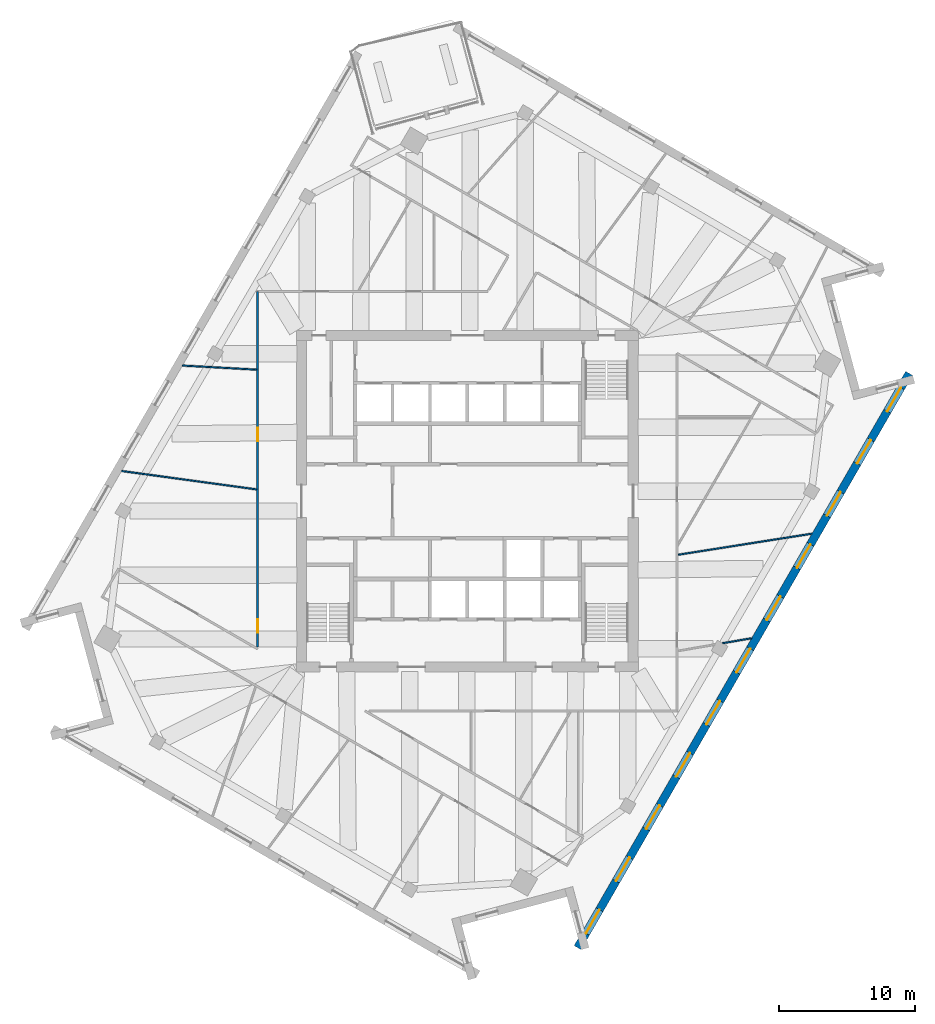
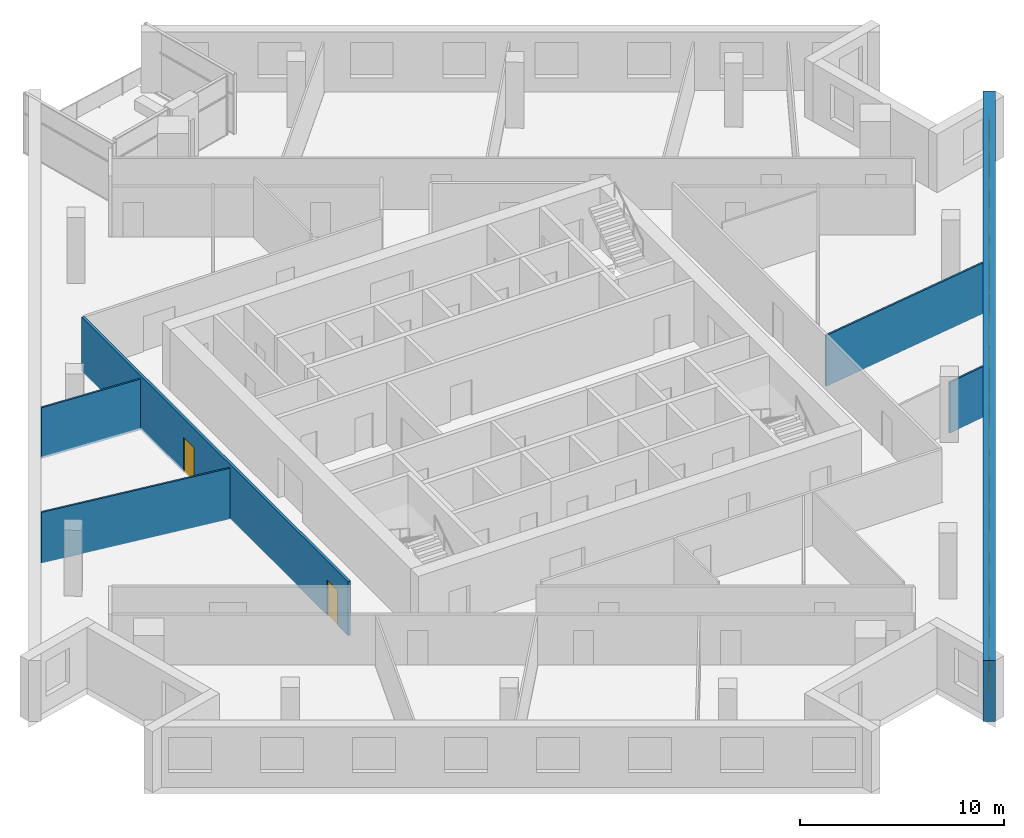
# One storey, part 8 of 13: 11 windows, 6 walls, 2 doors, 13 openings.
"""IFC4 building model written with IfcOpenShell, lengths in metres."""

from ifc_helpers import new_model, si_unit, direction, frame, frame_2d, origin, place, context, subcontext, project, spatial, rectangle, extrude, material, layer, layer_set, type_object, element, fill, save


model = new_model("IFC4")

# Units and contexts
model_context = context("Model", 3, precision=1e-05, world=origin(), true_north=direction((0.0, 1.0)))
body_context = subcontext(model_context, "Body", "Model", "MODEL_VIEW")
ifc_project = project(units=[si_unit("LENGTHUNIT", "METRE"), si_unit("AREAUNIT", "SQUARE_METRE"), si_unit("VOLUMEUNIT", "CUBIC_METRE"), si_unit("PLANEANGLEUNIT", "RADIAN"), si_unit("MASSUNIT", "GRAM", prefix="KILO")], contexts=[model_context])

# Site, building, storey
site_placement = place(None, origin())
site = spatial("IfcSite", under=ifc_project, at=site_placement, CompositionType="ELEMENT")
building_placement = place(site_placement, origin())
building = spatial("IfcBuilding", under=site, at=building_placement, Name="Dilmun Exchange Tower", CompositionType="ELEMENT")
storey_placement = place(building_placement, frame((0.0, 0.0, 270.89990234375)))
storey = spatial("IfcBuildingStorey", under=building, at=storey_placement, Name="L64", CompositionType="ELEMENT", Elevation=270.89990234375)

# Wall, openings, doors
ifc_material_1 = material(Name="Corridor wall 150")
ifc_layer_1 = layer(ifc_material_1, 0.14990234375)
ifc_layer_set_1 = layer_set([ifc_layer_1], Name="Corridor wall 150")
wall_type_1 = type_object("IfcWallType", Name="Corridor wall 150", PredefinedType="PARTITIONING", material=ifc_layer_set_1)
wall_1_placement = place(storey_placement, frame((-15.39990234375, -10.72021484375, 0.0), z_axis=(0.0, 0.0, 1.0), x_axis=(0.0, 1.0, 0.0)))
wall_1 = element("IfcWall", 1, at=wall_1_placement, inside=storey, type_object=wall_type_1, Name="Corridor wall", PredefinedType="PARTITIONING", context=body_context, shape_type="SweptSolid", body=[
    extrude(rectangle(XDim=26.1201171875, YDim=0.14990234375, at=frame_2d((13.06005859375, 0.0))), origin(), (0.0, 0.0, 1.0), 3.239990234375),
])
opening_1_placement = place(wall_1_placement, frame((1.050048828125, 0.0, 0.0)))
opening_1 = element("IfcOpeningElement", 2, at=opening_1_placement, cuts=wall_1, Name="Opening TF62-D02", PredefinedType="OPENING", context=body_context, shape_type="SweptSolid", body=[
    extrude(rectangle(XDim=1.0, YDim=2.10009765625, at=frame_2d((0.5, 1.050048828125))), frame((0.0, 0.0849609375, 0.0), z_axis=(0.0, -1.0, 0.0), x_axis=(1.0, 0.0, 0.0)), (0.0, 0.0, 1.0), 0.169921875),
])
opening_2_placement = place(wall_1_placement, frame((15.12353515625, 0.0, 0.0)))
opening_2 = element("IfcOpeningElement", 3, at=opening_2_placement, cuts=wall_1, Name="Opening TF62-D03", PredefinedType="OPENING", context=body_context, shape_type="SweptSolid", body=[
    extrude(rectangle(XDim=1.0, YDim=2.10009765625, at=frame_2d((0.5, 1.050048828125))), frame((0.0, 0.0849609375, 0.0), z_axis=(0.0, -1.0, 0.0), x_axis=(1.0, 0.0, 0.0)), (0.0, 0.0, 1.0), 0.169921875),
])
ifc_material_2 = material(Name="Fire door 1000 x 2100")
door_type = type_object("IfcDoorType", Name="Fire door 1000 x 2100", OperationType="NOTDEFINED", PredefinedType="DOOR", material=ifc_material_2)
door_1_placement = place(opening_1_placement, origin())
door_1 = element("IfcDoor", 4, at=door_1_placement, inside=storey, type_object=door_type, Name="Door TF62-D02", OperationType="SINGLE_SWING_LEFT", OverallHeight=2.10009765625, OverallWidth=1.0, PredefinedType="DOOR", context=body_context, shape_type="SweptSolid", body=[
    extrude(rectangle(XDim=1.0, YDim=2.10009765625, at=frame_2d((0.5, 1.050048828125))), frame((0.0, 0.02490234375, 0.0), z_axis=(0.0, -1.0, 0.0), x_axis=(1.0, 0.0, 0.0)), (0.0, 0.0, 1.0), 0.050048828125),
])
fill(opening_1, door_1)
door_2_placement = place(opening_2_placement, origin())
door_2 = element("IfcDoor", 5, at=door_2_placement, inside=storey, type_object=door_type, Name="Door TF62-D03", OperationType="SINGLE_SWING_RIGHT", OverallHeight=2.10009765625, OverallWidth=1.0, PredefinedType="DOOR", context=body_context, shape_type="SweptSolid", body=[
    extrude(rectangle(XDim=1.0, YDim=2.10009765625, at=frame_2d((0.5, 1.050048828125))), frame((0.0, 0.02490234375, 0.0), z_axis=(0.0, -1.0, 0.0), x_axis=(1.0, 0.0, 0.0)), (0.0, 0.0, 1.0), 0.050048828125),
])
fill(opening_2, door_2)

# Walls
ifc_material_3 = material(Name="Partition 100")
ifc_layer_2 = layer(ifc_material_3, 0.10009765625)
ifc_layer_set_2 = layer_set([ifc_layer_2], Name="Partition 100")
wall_type_2 = type_object("IfcWallType", Name="Partition 100", PredefinedType="PARTITIONING", material=ifc_layer_set_2)
wall_2_placement = place(storey_placement, frame((-25.39111328125, 2.217041015625, 0.0), z_axis=(0.0, 0.0, 1.0), x_axis=(0.990810103631, -0.135260262244, 0.0)))
element("IfcWall", 6, at=wall_2_placement, inside=storey, type_object=wall_type_2, Name="Partition", PredefinedType="PARTITIONING", context=body_context, shape_type="SweptSolid", body=[
    extrude(rectangle(XDim=10.001220703125, YDim=0.10009765625, at=frame_2d((5.00048828125, 0.0))), origin(), (0.0, 0.0, 1.0), 3.0400390625),
])
wall_3_placement = place(storey_placement, frame((-20.921630859375, 9.958740234375, 0.0), z_axis=(0.0, 0.0, 1.0), x_axis=(0.998469707991, -0.055301376328, 0.0)))
element("IfcWall", 7, at=wall_3_placement, inside=storey, type_object=wall_type_2, Name="Partition", PredefinedType="PARTITIONING", context=body_context, shape_type="SweptSolid", body=[
    extrude(rectangle(XDim=5.4521484375, YDim=0.10009765625, at=frame_2d((2.72607421875, 0.0))), origin(), (0.0, 0.0, 1.0), 3.0400390625),
])
wall_4_placement = place(storey_placement, frame((15.48291015625, -3.931884765625, 0.0), z_axis=(0.0, 0.0, 1.0), x_axis=(0.987819108506, 0.155606583636, 0.0)))
element("IfcWall", 8, at=wall_4_placement, inside=storey, type_object=wall_type_2, Name="Partition", PredefinedType="PARTITIONING", context=body_context, shape_type="SweptSolid", body=[
    extrude(rectangle(XDim=9.931640625, YDim=0.10009765625, at=frame_2d((4.9658203125, 0.0))), origin(), (0.0, 0.0, 1.0), 3.0400390625),
])
wall_5_placement = place(storey_placement, frame((18.7353515625, -10.430908203125, 0.0), z_axis=(0.0, 0.0, 1.0), x_axis=(0.985438538962, 0.170032014419, 0.0)))
element("IfcWall", 9, at=wall_5_placement, inside=storey, type_object=wall_type_2, Name="Partition", PredefinedType="PARTITIONING", context=body_context, shape_type="SweptSolid", body=[
    extrude(rectangle(XDim=2.15673828125, YDim=0.10009765625, at=frame_2d((1.078369140625, 0.0))), origin(), (0.0, 0.0, 1.0), 3.0400390625),
])

# Wall, openings, windows
ifc_material_4 = material(Name="Precast concrete C50/60", Category="concrete")
ifc_layer_3 = layer(ifc_material_4, 0.60009765625)
ifc_layer_set_3 = layer_set([ifc_layer_3], Name="Precast concrete C50/60")
wall_type_3 = type_object("IfcWallType", Name="Precast stone-clad wall 600", PredefinedType="STANDARD", material=ifc_layer_set_3)
wall_6_placement = place(storey_placement, frame((8.093505859375, -32.78173828125, 0.0), z_axis=(0.0, 0.0, 1.0), x_axis=(0.499997945818, 0.866026589763, 0.0)))
wall_6 = element("IfcWall", 10, at=wall_6_placement, inside=storey, type_object=wall_type_3, Name="Facade wall L64-11", PredefinedType="STANDARD", context=body_context, shape_type="SweptSolid", body=[
    extrude(rectangle(XDim=48.686279296875, YDim=0.60009765625, at=frame_2d((24.34326171875, 0.0))), origin(), (0.0, 0.0, 1.0), 3.64013671875),
])
opening_3_placement = place(wall_6_placement, frame((1.212890625, 0.0, 0.89990234375)))
opening_3 = element("IfcOpeningElement", 11, at=opening_3_placement, cuts=wall_6, Name="Opening W200-210", PredefinedType="OPENING", context=body_context, shape_type="SweptSolid", body=[
    extrude(rectangle(XDim=2.0, YDim=2.10009765625, at=frame_2d((1.0, 1.050048828125))), frame((0.0, 0.31005859375, 0.0), z_axis=(0.0, -1.0, 0.0), x_axis=(1.0, 0.0, 0.0)), (0.0, 0.0, 1.0), 0.6201171875),
])
opening_4_placement = place(wall_6_placement, frame((5.638916015625, 0.0, 0.89990234375)))
opening_4 = element("IfcOpeningElement", 12, at=opening_4_placement, cuts=wall_6, Name="Opening W200-210", PredefinedType="OPENING", context=body_context, shape_type="SweptSolid", body=[
    extrude(rectangle(XDim=2.0, YDim=2.10009765625, at=frame_2d((1.0, 1.050048828125))), frame((0.0, 0.31005859375, 0.0), z_axis=(0.0, -1.0, 0.0), x_axis=(1.0, 0.0, 0.0)), (0.0, 0.0, 1.0), 0.6201171875),
])
opening_5_placement = place(wall_6_placement, frame((10.065185546875, 0.0, 0.89990234375)))
opening_5 = element("IfcOpeningElement", 13, at=opening_5_placement, cuts=wall_6, Name="Opening W200-210", PredefinedType="OPENING", context=body_context, shape_type="SweptSolid", body=[
    extrude(rectangle(XDim=2.0, YDim=2.10009765625, at=frame_2d((1.0, 1.050048828125))), frame((0.0, 0.31005859375, 0.0), z_axis=(0.0, -1.0, 0.0), x_axis=(1.0, 0.0, 0.0)), (0.0, 0.0, 1.0), 0.6201171875),
])
opening_6_placement = place(wall_6_placement, frame((14.4912109375, 0.0, 0.89990234375)))
opening_6 = element("IfcOpeningElement", 14, at=opening_6_placement, cuts=wall_6, Name="Opening W200-210", PredefinedType="OPENING", context=body_context, shape_type="SweptSolid", body=[
    extrude(rectangle(XDim=2.0, YDim=2.10009765625, at=frame_2d((1.0, 1.050048828125))), frame((0.0, 0.31005859375, 0.0), z_axis=(0.0, -1.0, 0.0), x_axis=(1.0, 0.0, 0.0)), (0.0, 0.0, 1.0), 0.6201171875),
])
opening_7_placement = place(wall_6_placement, frame((18.9169921875, 0.0, 0.89990234375)))
opening_7 = element("IfcOpeningElement", 15, at=opening_7_placement, cuts=wall_6, Name="Opening W200-210", PredefinedType="OPENING", context=body_context, shape_type="SweptSolid", body=[
    extrude(rectangle(XDim=2.0, YDim=2.10009765625, at=frame_2d((1.0, 1.050048828125))), frame((0.0, 0.31005859375, 0.0), z_axis=(0.0, -1.0, 0.0), x_axis=(1.0, 0.0, 0.0)), (0.0, 0.0, 1.0), 0.6201171875),
])
opening_8_placement = place(wall_6_placement, frame((23.343017578125, 0.0, 0.89990234375)))
opening_8 = element("IfcOpeningElement", 16, at=opening_8_placement, cuts=wall_6, Name="Opening W200-210", PredefinedType="OPENING", context=body_context, shape_type="SweptSolid", body=[
    extrude(rectangle(XDim=2.0, YDim=2.10009765625, at=frame_2d((1.0, 1.050048828125))), frame((0.0, 0.31005859375, 0.0), z_axis=(0.0, -1.0, 0.0), x_axis=(1.0, 0.0, 0.0)), (0.0, 0.0, 1.0), 0.6201171875),
])
opening_9_placement = place(wall_6_placement, frame((27.769287109375, 0.0, 0.89990234375)))
opening_9 = element("IfcOpeningElement", 17, at=opening_9_placement, cuts=wall_6, Name="Opening W200-210", PredefinedType="OPENING", context=body_context, shape_type="SweptSolid", body=[
    extrude(rectangle(XDim=2.0, YDim=2.10009765625, at=frame_2d((1.0, 1.050048828125))), frame((0.0, 0.31005859375, 0.0), z_axis=(0.0, -1.0, 0.0), x_axis=(1.0, 0.0, 0.0)), (0.0, 0.0, 1.0), 0.6201171875),
])
opening_10_placement = place(wall_6_placement, frame((32.1953125, 0.0, 0.89990234375)))
opening_10 = element("IfcOpeningElement", 18, at=opening_10_placement, cuts=wall_6, Name="Opening W200-210", PredefinedType="OPENING", context=body_context, shape_type="SweptSolid", body=[
    extrude(rectangle(XDim=2.0, YDim=2.10009765625, at=frame_2d((1.0, 1.050048828125))), frame((0.0, 0.31005859375, 0.0), z_axis=(0.0, -1.0, 0.0), x_axis=(1.0, 0.0, 0.0)), (0.0, 0.0, 1.0), 0.6201171875),
])
opening_11_placement = place(wall_6_placement, frame((36.62109375, 0.0, 0.89990234375)))
opening_11 = element("IfcOpeningElement", 19, at=opening_11_placement, cuts=wall_6, Name="Opening W200-210", PredefinedType="OPENING", context=body_context, shape_type="SweptSolid", body=[
    extrude(rectangle(XDim=2.0, YDim=2.10009765625, at=frame_2d((1.0, 1.050048828125))), frame((0.0, 0.31005859375, 0.0), z_axis=(0.0, -1.0, 0.0), x_axis=(1.0, 0.0, 0.0)), (0.0, 0.0, 1.0), 0.6201171875),
])
opening_12_placement = place(wall_6_placement, frame((41.04736328125, 0.0, 0.89990234375)))
opening_12 = element("IfcOpeningElement", 20, at=opening_12_placement, cuts=wall_6, Name="Opening W200-210", PredefinedType="OPENING", context=body_context, shape_type="SweptSolid", body=[
    extrude(rectangle(XDim=2.0, YDim=2.10009765625, at=frame_2d((1.0, 1.050048828125))), frame((0.0, 0.31005859375, 0.0), z_axis=(0.0, -1.0, 0.0), x_axis=(1.0, 0.0, 0.0)), (0.0, 0.0, 1.0), 0.6201171875),
])
opening_13_placement = place(wall_6_placement, frame((45.473388671875, 0.0, 0.89990234375)))
opening_13 = element("IfcOpeningElement", 21, at=opening_13_placement, cuts=wall_6, Name="Opening W200-210", PredefinedType="OPENING", context=body_context, shape_type="SweptSolid", body=[
    extrude(rectangle(XDim=2.0, YDim=2.10009765625, at=frame_2d((1.0, 1.050048828125))), frame((0.0, 0.31005859375, 0.0), z_axis=(0.0, -1.0, 0.0), x_axis=(1.0, 0.0, 0.0)), (0.0, 0.0, 1.0), 0.6201171875),
])
ifc_material_5 = material(Name="Clear low-emissivity glass in aluminium frame", Category="aluminium")
window_type = type_object("IfcWindowType", Name="Punched window 2000 x 2100", PartitioningType="DOUBLE_PANEL_VERTICAL", PredefinedType="WINDOW", material=ifc_material_5)
window_1_placement = place(opening_3_placement, origin())
window_1 = element("IfcWindow", 22, at=window_1_placement, inside=storey, type_object=window_type, Name="Window 12.1", OverallHeight=2.10009765625, OverallWidth=2.0, PartitioningType="SINGLE_PANEL", PredefinedType="WINDOW", context=body_context, shape_type="SweptSolid", body=[
    extrude(rectangle(XDim=2.0, YDim=2.10009765625, at=frame_2d((1.0, 1.050048828125))), frame((0.0, 0.030029296875, 0.0), z_axis=(0.0, -1.0, 0.0), x_axis=(1.0, 0.0, 0.0)), (0.0, 0.0, 1.0), 0.06005859375),
])
fill(opening_3, window_1)
window_2_placement = place(opening_4_placement, origin())
window_2 = element("IfcWindow", 23, at=window_2_placement, inside=storey, type_object=window_type, Name="Window 12.2", OverallHeight=2.10009765625, OverallWidth=2.0, PartitioningType="SINGLE_PANEL", PredefinedType="WINDOW", context=body_context, shape_type="SweptSolid", body=[
    extrude(rectangle(XDim=2.0, YDim=2.10009765625, at=frame_2d((1.0, 1.050048828125))), frame((0.0, 0.030029296875, 0.0), z_axis=(0.0, -1.0, 0.0), x_axis=(1.0, 0.0, 0.0)), (0.0, 0.0, 1.0), 0.06005859375),
])
fill(opening_4, window_2)
window_3_placement = place(opening_5_placement, origin())
window_3 = element("IfcWindow", 24, at=window_3_placement, inside=storey, type_object=window_type, Name="Window 12.3", OverallHeight=2.10009765625, OverallWidth=2.0, PartitioningType="SINGLE_PANEL", PredefinedType="WINDOW", context=body_context, shape_type="SweptSolid", body=[
    extrude(rectangle(XDim=2.0, YDim=2.10009765625, at=frame_2d((1.0, 1.050048828125))), frame((0.0, 0.030029296875, 0.0), z_axis=(0.0, -1.0, 0.0), x_axis=(1.0, 0.0, 0.0)), (0.0, 0.0, 1.0), 0.06005859375),
])
fill(opening_5, window_3)
window_4_placement = place(opening_6_placement, origin())
window_4 = element("IfcWindow", 25, at=window_4_placement, inside=storey, type_object=window_type, Name="Window 12.4", OverallHeight=2.10009765625, OverallWidth=2.0, PartitioningType="SINGLE_PANEL", PredefinedType="WINDOW", context=body_context, shape_type="SweptSolid", body=[
    extrude(rectangle(XDim=2.0, YDim=2.10009765625, at=frame_2d((1.0, 1.050048828125))), frame((0.0, 0.030029296875, 0.0), z_axis=(0.0, -1.0, 0.0), x_axis=(1.0, 0.0, 0.0)), (0.0, 0.0, 1.0), 0.06005859375),
])
fill(opening_6, window_4)
window_5_placement = place(opening_7_placement, origin())
window_5 = element("IfcWindow", 26, at=window_5_placement, inside=storey, type_object=window_type, Name="Window 12.5", OverallHeight=2.10009765625, OverallWidth=2.0, PartitioningType="SINGLE_PANEL", PredefinedType="WINDOW", context=body_context, shape_type="SweptSolid", body=[
    extrude(rectangle(XDim=2.0, YDim=2.10009765625, at=frame_2d((1.0, 1.050048828125))), frame((0.0, 0.030029296875, 0.0), z_axis=(0.0, -1.0, 0.0), x_axis=(1.0, 0.0, 0.0)), (0.0, 0.0, 1.0), 0.06005859375),
])
fill(opening_7, window_5)
window_6_placement = place(opening_8_placement, origin())
window_6 = element("IfcWindow", 27, at=window_6_placement, inside=storey, type_object=window_type, Name="Window 12.6", OverallHeight=2.10009765625, OverallWidth=2.0, PartitioningType="SINGLE_PANEL", PredefinedType="WINDOW", context=body_context, shape_type="SweptSolid", body=[
    extrude(rectangle(XDim=2.0, YDim=2.10009765625, at=frame_2d((1.0, 1.050048828125))), frame((0.0, 0.030029296875, 0.0), z_axis=(0.0, -1.0, 0.0), x_axis=(1.0, 0.0, 0.0)), (0.0, 0.0, 1.0), 0.06005859375),
])
fill(opening_8, window_6)
window_7_placement = place(opening_9_placement, origin())
window_7 = element("IfcWindow", 28, at=window_7_placement, inside=storey, type_object=window_type, Name="Window 12.7", OverallHeight=2.10009765625, OverallWidth=2.0, PartitioningType="SINGLE_PANEL", PredefinedType="WINDOW", context=body_context, shape_type="SweptSolid", body=[
    extrude(rectangle(XDim=2.0, YDim=2.10009765625, at=frame_2d((1.0, 1.050048828125))), frame((0.0, 0.030029296875, 0.0), z_axis=(0.0, -1.0, 0.0), x_axis=(1.0, 0.0, 0.0)), (0.0, 0.0, 1.0), 0.06005859375),
])
fill(opening_9, window_7)
window_8_placement = place(opening_10_placement, origin())
window_8 = element("IfcWindow", 29, at=window_8_placement, inside=storey, type_object=window_type, Name="Window 12.8", OverallHeight=2.10009765625, OverallWidth=2.0, PartitioningType="SINGLE_PANEL", PredefinedType="WINDOW", context=body_context, shape_type="SweptSolid", body=[
    extrude(rectangle(XDim=2.0, YDim=2.10009765625, at=frame_2d((1.0, 1.050048828125))), frame((0.0, 0.030029296875, 0.0), z_axis=(0.0, -1.0, 0.0), x_axis=(1.0, 0.0, 0.0)), (0.0, 0.0, 1.0), 0.06005859375),
])
fill(opening_10, window_8)
window_9_placement = place(opening_11_placement, origin())
window_9 = element("IfcWindow", 30, at=window_9_placement, inside=storey, type_object=window_type, Name="Window 12.9", OverallHeight=2.10009765625, OverallWidth=2.0, PartitioningType="SINGLE_PANEL", PredefinedType="WINDOW", context=body_context, shape_type="SweptSolid", body=[
    extrude(rectangle(XDim=2.0, YDim=2.10009765625, at=frame_2d((1.0, 1.050048828125))), frame((0.0, 0.030029296875, 0.0), z_axis=(0.0, -1.0, 0.0), x_axis=(1.0, 0.0, 0.0)), (0.0, 0.0, 1.0), 0.06005859375),
])
fill(opening_11, window_9)
window_10_placement = place(opening_12_placement, origin())
window_10 = element("IfcWindow", 31, at=window_10_placement, inside=storey, type_object=window_type, Name="Window 12.10", OverallHeight=2.10009765625, OverallWidth=2.0, PartitioningType="SINGLE_PANEL", PredefinedType="WINDOW", context=body_context, shape_type="SweptSolid", body=[
    extrude(rectangle(XDim=2.0, YDim=2.10009765625, at=frame_2d((1.0, 1.050048828125))), frame((0.0, 0.030029296875, 0.0), z_axis=(0.0, -1.0, 0.0), x_axis=(1.0, 0.0, 0.0)), (0.0, 0.0, 1.0), 0.06005859375),
])
fill(opening_12, window_10)
window_11_placement = place(opening_13_placement, origin())
window_11 = element("IfcWindow", 32, at=window_11_placement, inside=storey, type_object=window_type, Name="Window 12.11", OverallHeight=2.10009765625, OverallWidth=2.0, PartitioningType="SINGLE_PANEL", PredefinedType="WINDOW", context=body_context, shape_type="SweptSolid", body=[
    extrude(rectangle(XDim=2.0, YDim=2.10009765625, at=frame_2d((1.0, 1.050048828125))), frame((0.0, 0.030029296875, 0.0), z_axis=(0.0, -1.0, 0.0), x_axis=(1.0, 0.0, 0.0)), (0.0, 0.0, 1.0), 0.06005859375),
])
fill(opening_13, window_11)

save(model, "model.ifc")
